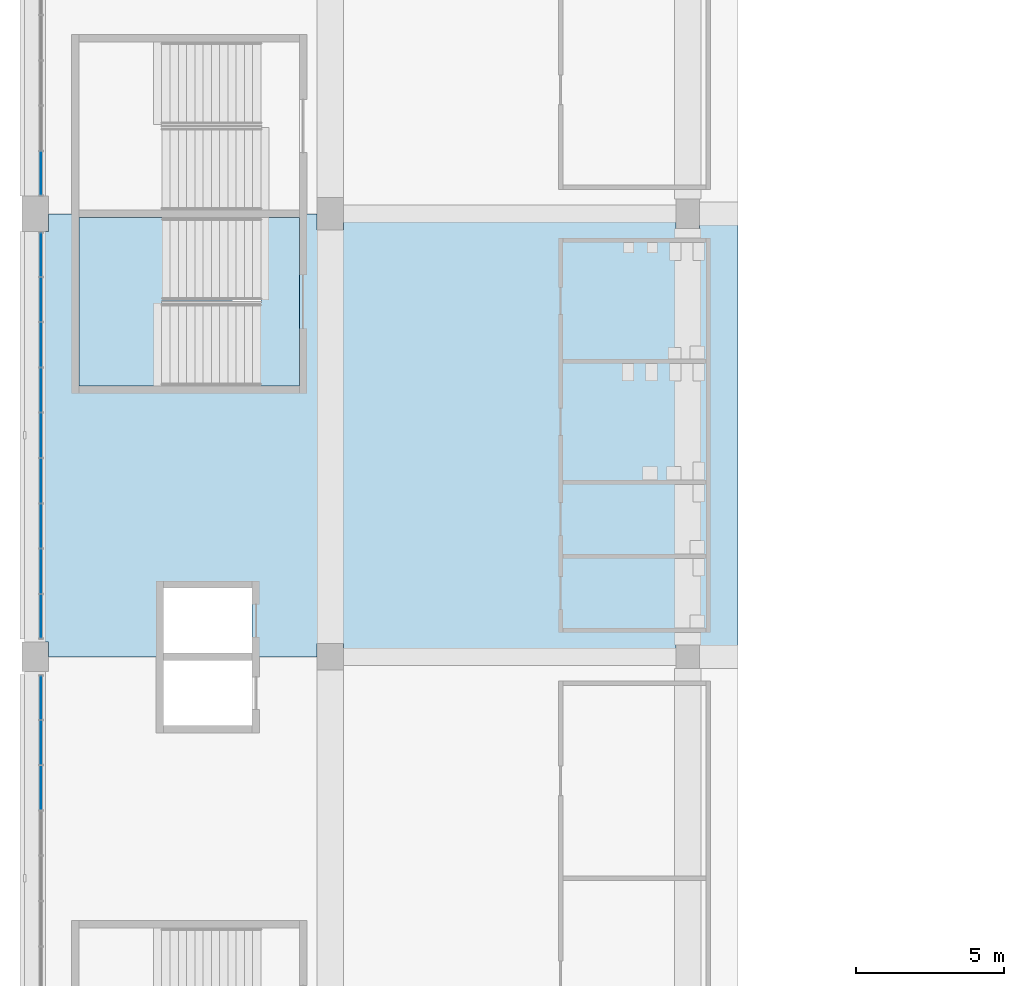
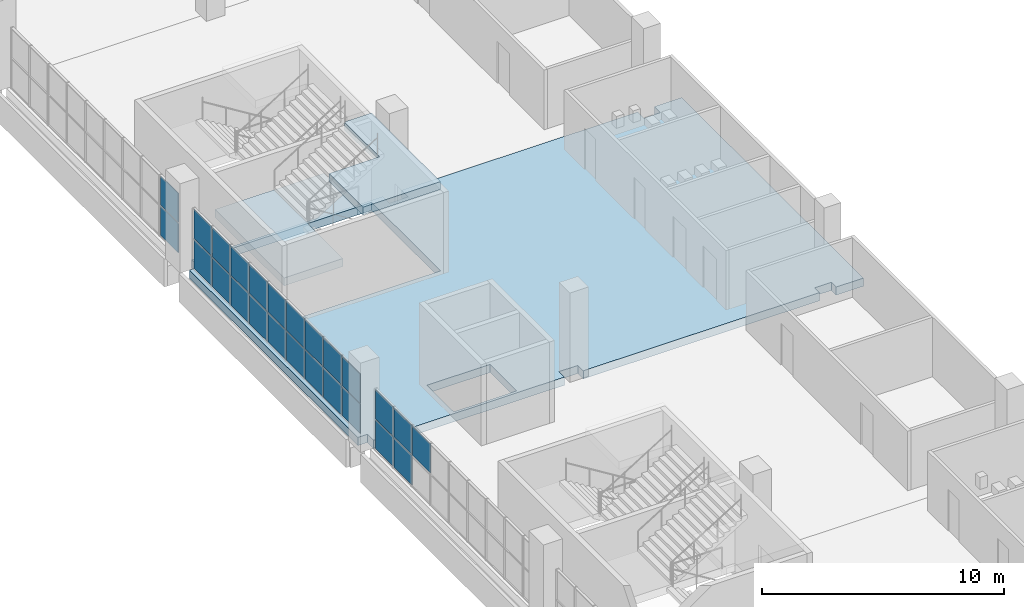
# One storey, part 62 of 199: 25 plates, 3 slabs, 4 elements without a shape of their own.
"""IFC4 building model written with IfcOpenShell, lengths in metres."""

from ifc_helpers import new_model, si_unit, direction, frame, origin, origin_2d, place, context, subcontext, project, spatial, polyline, rectangle, outline, extrude, material, layer, layer_set, type_object, element, aggregate, save


model = new_model("IFC4")

# Units and contexts
model_context = context("Model", 3, precision=1e-05, world=origin(), true_north=direction((0.0, 1.0)))
body_context = subcontext(model_context, "Body", "Model", "MODEL_VIEW")
ifc_project = project(units=[si_unit("LENGTHUNIT", "METRE"), si_unit("AREAUNIT", "SQUARE_METRE"), si_unit("VOLUMEUNIT", "CUBIC_METRE"), si_unit("PLANEANGLEUNIT", "RADIAN"), si_unit("MASSUNIT", "GRAM", prefix="KILO")], contexts=[model_context])

# Site, building, storey
site_placement = place(None, origin())
site = spatial("IfcSite", under=ifc_project, at=site_placement, CompositionType="ELEMENT")
building_placement = place(site_placement, origin())
building = spatial("IfcBuilding", under=site, at=building_placement, Name="Ogive Plaza Stadium", CompositionType="ELEMENT")
storey_placement = place(building_placement, frame((0.0, 0.0, 4.5)))
storey = spatial("IfcBuildingStorey", under=building, at=storey_placement, Name="L01", CompositionType="ELEMENT", Elevation=4.5)

# Curtain wall, plates
ifc_material_1 = material(Name="Bronze-anodised aluminium with laminated glass", Category="aluminium")
curtain_wall_type = type_object("IfcCurtainWallType", Name="Lancet curtain wall", PredefinedType="NOTDEFINED", material=ifc_material_1)
curtain_wall_1_placement = place(storey_placement, origin())
curtain_wall_1 = element("IfcCurtainWall", 1, at=curtain_wall_1_placement, inside=storey, type_object=curtain_wall_type, Name="CURTAIN WALL B24 L01", PredefinedType="NOTDEFINED")
ifc_material_2 = material(Name="Laminated glass", Category="glass")
ifc_layer_1 = layer(ifc_material_2, 0.028076171875)
ifc_layer_set_1 = layer_set([ifc_layer_1], Name="Laminated glass panel 28")
plate_type = type_object("IfcPlateType", Name="Laminated glass panel 28", PredefinedType="CURTAIN_PANEL", material=ifc_layer_set_1)
plate_1_placement = place(storey_placement, frame((-83.800048828125, 3.066650390625, 1.56982421875), z_axis=(0.0, 0.0, 1.0), x_axis=(0.0, 1.0, 0.0)))
plate_1 = element("IfcPlate", 2, at=plate_1_placement, type_object=plate_type, Name="CW-B24-L01 panel 7.2", PredefinedType="CURTAIN_PANEL", context=body_context, shape_type="SweptSolid", body=[
    extrude(rectangle(XDim=1.4833984375, YDim=0.028076171875, at=origin_2d()), origin(), (0.0, 0.0, 1.0), 1.469970703125),
])
plate_2_placement = place(storey_placement, frame((-83.800048828125, 4.60009765625, 0.0498046875), z_axis=(0.0, 0.0, 1.0), x_axis=(0.0, 1.0, 0.0)))
plate_2 = element("IfcPlate", 3, at=plate_2_placement, type_object=plate_type, Name="CW-B24-L01 panel 8.1", PredefinedType="CURTAIN_PANEL", context=body_context, shape_type="SweptSolid", body=[
    extrude(rectangle(XDim=1.4833984375, YDim=0.028076171875, at=origin_2d()), origin(), (0.0, 0.0, 1.0), 1.469970703125),
])
plate_3_placement = place(storey_placement, frame((-83.800048828125, 4.60009765625, 1.56982421875), z_axis=(0.0, 0.0, 1.0), x_axis=(0.0, 1.0, 0.0)))
plate_3 = element("IfcPlate", 4, at=plate_3_placement, type_object=plate_type, Name="CW-B24-L01 panel 8.2", PredefinedType="CURTAIN_PANEL", context=body_context, shape_type="SweptSolid", body=[
    extrude(rectangle(XDim=1.4833984375, YDim=0.028076171875, at=origin_2d()), origin(), (0.0, 0.0, 1.0), 1.469970703125),
])
plate_4_placement = place(storey_placement, frame((-83.800048828125, 6.120849609375, 0.0498046875), z_axis=(0.0, 0.0, 1.0), x_axis=(0.0, 1.0, 0.0)))
plate_4 = element("IfcPlate", 5, at=plate_4_placement, type_object=plate_type, Name="CW-B24-L01 panel 9.1", PredefinedType="CURTAIN_PANEL", context=body_context, shape_type="SweptSolid", body=[
    extrude(rectangle(XDim=1.458251953125, YDim=0.028076171875, at=origin_2d()), origin(), (0.0, 0.0, 1.0), 1.469970703125),
])
plate_5_placement = place(storey_placement, frame((-83.800048828125, 6.120849609375, 1.56982421875), z_axis=(0.0, 0.0, 1.0), x_axis=(0.0, 1.0, 0.0)))
plate_5 = element("IfcPlate", 6, at=plate_5_placement, type_object=plate_type, Name="CW-B24-L01 panel 9.2", PredefinedType="CURTAIN_PANEL", context=body_context, shape_type="SweptSolid", body=[
    extrude(rectangle(XDim=1.458251953125, YDim=0.028076171875, at=origin_2d()), origin(), (0.0, 0.0, 1.0), 1.469970703125),
])
aggregate(curtain_wall_1, [plate_1, plate_2, plate_3, plate_4, plate_5])

curtain_wall_2_placement = place(storey_placement, origin())
curtain_wall_2 = element("IfcCurtainWall", 7, at=curtain_wall_2_placement, inside=storey, type_object=curtain_wall_type, Name="CURTAIN WALL B25 L01", PredefinedType="NOTDEFINED")
plate_6_placement = place(storey_placement, frame((-83.800048828125, 8.879150390625, 0.0498046875), z_axis=(0.0, 0.0, 1.0), x_axis=(0.0, 1.0, 0.0)))
plate_6 = element("IfcPlate", 8, at=plate_6_placement, type_object=plate_type, Name="CW-B25-L01 panel 1.1", PredefinedType="CURTAIN_PANEL", context=body_context, shape_type="SweptSolid", body=[
    extrude(rectangle(XDim=1.458251953125, YDim=0.028076171875, at=origin_2d()), origin(), (0.0, 0.0, 1.0), 1.469970703125),
])
plate_7_placement = place(storey_placement, frame((-83.800048828125, 8.879150390625, 1.56982421875), z_axis=(0.0, 0.0, 1.0), x_axis=(0.0, 1.0, 0.0)))
plate_7 = element("IfcPlate", 9, at=plate_7_placement, type_object=plate_type, Name="CW-B25-L01 panel 1.2", PredefinedType="CURTAIN_PANEL", context=body_context, shape_type="SweptSolid", body=[
    extrude(rectangle(XDim=1.458251953125, YDim=0.028076171875, at=origin_2d()), origin(), (0.0, 0.0, 1.0), 1.469970703125),
])
plate_8_placement = place(storey_placement, frame((-83.800048828125, 10.39990234375, 0.0498046875), z_axis=(0.0, 0.0, 1.0), x_axis=(0.0, 1.0, 0.0)))
plate_8 = element("IfcPlate", 10, at=plate_8_placement, type_object=plate_type, Name="CW-B25-L01 panel 2.1", PredefinedType="CURTAIN_PANEL", context=body_context, shape_type="SweptSolid", body=[
    extrude(rectangle(XDim=1.4833984375, YDim=0.028076171875, at=origin_2d()), origin(), (0.0, 0.0, 1.0), 1.469970703125),
])
plate_9_placement = place(storey_placement, frame((-83.800048828125, 10.39990234375, 1.56982421875), z_axis=(0.0, 0.0, 1.0), x_axis=(0.0, 1.0, 0.0)))
plate_9 = element("IfcPlate", 11, at=plate_9_placement, type_object=plate_type, Name="CW-B25-L01 panel 2.2", PredefinedType="CURTAIN_PANEL", context=body_context, shape_type="SweptSolid", body=[
    extrude(rectangle(XDim=1.4833984375, YDim=0.028076171875, at=origin_2d()), origin(), (0.0, 0.0, 1.0), 1.469970703125),
])
plate_10_placement = place(storey_placement, frame((-83.800048828125, 11.933349609375, 0.0498046875), z_axis=(0.0, 0.0, 1.0), x_axis=(0.0, 1.0, 0.0)))
plate_10 = element("IfcPlate", 12, at=plate_10_placement, type_object=plate_type, Name="CW-B25-L01 panel 3.1", PredefinedType="CURTAIN_PANEL", context=body_context, shape_type="SweptSolid", body=[
    extrude(rectangle(XDim=1.4833984375, YDim=0.028076171875, at=origin_2d()), origin(), (0.0, 0.0, 1.0), 1.469970703125),
])
plate_11_placement = place(storey_placement, frame((-83.800048828125, 11.933349609375, 1.56982421875), z_axis=(0.0, 0.0, 1.0), x_axis=(0.0, 1.0, 0.0)))
plate_11 = element("IfcPlate", 13, at=plate_11_placement, type_object=plate_type, Name="CW-B25-L01 panel 3.2", PredefinedType="CURTAIN_PANEL", context=body_context, shape_type="SweptSolid", body=[
    extrude(rectangle(XDim=1.4833984375, YDim=0.028076171875, at=origin_2d()), origin(), (0.0, 0.0, 1.0), 1.469970703125),
])
plate_12_placement = place(storey_placement, frame((-83.800048828125, 13.466552734375, 0.0498046875), z_axis=(0.0, 0.0, 1.0), x_axis=(0.0, 1.0, 0.0)))
plate_12 = element("IfcPlate", 14, at=plate_12_placement, type_object=plate_type, Name="CW-B25-L01 panel 4.1", PredefinedType="CURTAIN_PANEL", context=body_context, shape_type="SweptSolid", body=[
    extrude(rectangle(XDim=1.4833984375, YDim=0.028076171875, at=origin_2d()), origin(), (0.0, 0.0, 1.0), 1.469970703125),
])
plate_13_placement = place(storey_placement, frame((-83.800048828125, 13.466552734375, 1.56982421875), z_axis=(0.0, 0.0, 1.0), x_axis=(0.0, 1.0, 0.0)))
plate_13 = element("IfcPlate", 15, at=plate_13_placement, type_object=plate_type, Name="CW-B25-L01 panel 4.2", PredefinedType="CURTAIN_PANEL", context=body_context, shape_type="SweptSolid", body=[
    extrude(rectangle(XDim=1.4833984375, YDim=0.028076171875, at=origin_2d()), origin(), (0.0, 0.0, 1.0), 1.469970703125),
])
plate_14_placement = place(storey_placement, frame((-83.800048828125, 15.0, 0.0498046875), z_axis=(0.0, 0.0, 1.0), x_axis=(0.0, 1.0, 0.0)))
plate_14 = element("IfcPlate", 16, at=plate_14_placement, type_object=plate_type, Name="CW-B25-L01 panel 5.1", PredefinedType="CURTAIN_PANEL", context=body_context, shape_type="SweptSolid", body=[
    extrude(rectangle(XDim=1.4833984375, YDim=0.028076171875, at=origin_2d()), origin(), (0.0, 0.0, 1.0), 1.469970703125),
])
plate_15_placement = place(storey_placement, frame((-83.800048828125, 15.0, 1.56982421875), z_axis=(0.0, 0.0, 1.0), x_axis=(0.0, 1.0, 0.0)))
plate_15 = element("IfcPlate", 17, at=plate_15_placement, type_object=plate_type, Name="CW-B25-L01 panel 5.2", PredefinedType="CURTAIN_PANEL", context=body_context, shape_type="SweptSolid", body=[
    extrude(rectangle(XDim=1.4833984375, YDim=0.028076171875, at=origin_2d()), origin(), (0.0, 0.0, 1.0), 1.469970703125),
])
plate_16_placement = place(storey_placement, frame((-83.800048828125, 16.533447265625, 0.0498046875), z_axis=(0.0, 0.0, 1.0), x_axis=(0.0, 1.0, 0.0)))
plate_16 = element("IfcPlate", 18, at=plate_16_placement, type_object=plate_type, Name="CW-B25-L01 panel 6.1", PredefinedType="CURTAIN_PANEL", context=body_context, shape_type="SweptSolid", body=[
    extrude(rectangle(XDim=1.4833984375, YDim=0.028076171875, at=origin_2d()), origin(), (0.0, 0.0, 1.0), 1.469970703125),
])
plate_17_placement = place(storey_placement, frame((-83.800048828125, 16.533447265625, 1.56982421875), z_axis=(0.0, 0.0, 1.0), x_axis=(0.0, 1.0, 0.0)))
plate_17 = element("IfcPlate", 19, at=plate_17_placement, type_object=plate_type, Name="CW-B25-L01 panel 6.2", PredefinedType="CURTAIN_PANEL", context=body_context, shape_type="SweptSolid", body=[
    extrude(rectangle(XDim=1.4833984375, YDim=0.028076171875, at=origin_2d()), origin(), (0.0, 0.0, 1.0), 1.469970703125),
])
plate_18_placement = place(storey_placement, frame((-83.800048828125, 18.066650390625, 0.0498046875), z_axis=(0.0, 0.0, 1.0), x_axis=(0.0, 1.0, 0.0)))
plate_18 = element("IfcPlate", 20, at=plate_18_placement, type_object=plate_type, Name="CW-B25-L01 panel 7.1", PredefinedType="CURTAIN_PANEL", context=body_context, shape_type="SweptSolid", body=[
    extrude(rectangle(XDim=1.4833984375, YDim=0.028076171875, at=origin_2d()), origin(), (0.0, 0.0, 1.0), 1.469970703125),
])
plate_19_placement = place(storey_placement, frame((-83.800048828125, 18.066650390625, 1.56982421875), z_axis=(0.0, 0.0, 1.0), x_axis=(0.0, 1.0, 0.0)))
plate_19 = element("IfcPlate", 21, at=plate_19_placement, type_object=plate_type, Name="CW-B25-L01 panel 7.2", PredefinedType="CURTAIN_PANEL", context=body_context, shape_type="SweptSolid", body=[
    extrude(rectangle(XDim=1.4833984375, YDim=0.028076171875, at=origin_2d()), origin(), (0.0, 0.0, 1.0), 1.469970703125),
])
plate_20_placement = place(storey_placement, frame((-83.800048828125, 19.60009765625, 0.0498046875), z_axis=(0.0, 0.0, 1.0), x_axis=(0.0, 1.0, 0.0)))
plate_20 = element("IfcPlate", 22, at=plate_20_placement, type_object=plate_type, Name="CW-B25-L01 panel 8.1", PredefinedType="CURTAIN_PANEL", context=body_context, shape_type="SweptSolid", body=[
    extrude(rectangle(XDim=1.4833984375, YDim=0.028076171875, at=origin_2d()), origin(), (0.0, 0.0, 1.0), 1.469970703125),
])
plate_21_placement = place(storey_placement, frame((-83.800048828125, 19.60009765625, 1.56982421875), z_axis=(0.0, 0.0, 1.0), x_axis=(0.0, 1.0, 0.0)))
plate_21 = element("IfcPlate", 23, at=plate_21_placement, type_object=plate_type, Name="CW-B25-L01 panel 8.2", PredefinedType="CURTAIN_PANEL", context=body_context, shape_type="SweptSolid", body=[
    extrude(rectangle(XDim=1.4833984375, YDim=0.028076171875, at=origin_2d()), origin(), (0.0, 0.0, 1.0), 1.469970703125),
])
plate_22_placement = place(storey_placement, frame((-83.800048828125, 21.120849609375, 0.0498046875), z_axis=(0.0, 0.0, 1.0), x_axis=(0.0, 1.0, 0.0)))
plate_22 = element("IfcPlate", 24, at=plate_22_placement, type_object=plate_type, Name="CW-B25-L01 panel 9.1", PredefinedType="CURTAIN_PANEL", context=body_context, shape_type="SweptSolid", body=[
    extrude(rectangle(XDim=1.458251953125, YDim=0.028076171875, at=origin_2d()), origin(), (0.0, 0.0, 1.0), 1.469970703125),
])
plate_23_placement = place(storey_placement, frame((-83.800048828125, 21.120849609375, 1.56982421875), z_axis=(0.0, 0.0, 1.0), x_axis=(0.0, 1.0, 0.0)))
plate_23 = element("IfcPlate", 25, at=plate_23_placement, type_object=plate_type, Name="CW-B25-L01 panel 9.2", PredefinedType="CURTAIN_PANEL", context=body_context, shape_type="SweptSolid", body=[
    extrude(rectangle(XDim=1.458251953125, YDim=0.028076171875, at=origin_2d()), origin(), (0.0, 0.0, 1.0), 1.469970703125),
])
aggregate(curtain_wall_2, [plate_6, plate_7, plate_8, plate_9, plate_10, plate_11, plate_12, plate_13, plate_14, plate_15, plate_16, plate_17, plate_18, plate_19, plate_20, plate_21, plate_22, plate_23])

curtain_wall_3_placement = place(storey_placement, origin())
curtain_wall_3 = element("IfcCurtainWall", 26, at=curtain_wall_3_placement, inside=storey, type_object=curtain_wall_type, Name="CURTAIN WALL B26 L01", PredefinedType="NOTDEFINED")
plate_24_placement = place(storey_placement, frame((-83.800048828125, 23.879150390625, 0.0498046875), z_axis=(0.0, 0.0, 1.0), x_axis=(0.0, 1.0, 0.0)))
plate_24 = element("IfcPlate", 27, at=plate_24_placement, type_object=plate_type, Name="CW-B26-L01 panel 1.1", PredefinedType="CURTAIN_PANEL", context=body_context, shape_type="SweptSolid", body=[
    extrude(rectangle(XDim=1.458251953125, YDim=0.028076171875, at=origin_2d()), origin(), (0.0, 0.0, 1.0), 1.469970703125),
])
plate_25_placement = place(storey_placement, frame((-83.800048828125, 23.879150390625, 1.56982421875), z_axis=(0.0, 0.0, 1.0), x_axis=(0.0, 1.0, 0.0)))
plate_25 = element("IfcPlate", 28, at=plate_25_placement, type_object=plate_type, Name="CW-B26-L01 panel 1.2", PredefinedType="CURTAIN_PANEL", context=body_context, shape_type="SweptSolid", body=[
    extrude(rectangle(XDim=1.458251953125, YDim=0.028076171875, at=origin_2d()), origin(), (0.0, 0.0, 1.0), 1.469970703125),
])
aggregate(curtain_wall_3, [plate_24, plate_25])

# Slab
ifc_material_3 = material(Name="Concrete C40/50", Category="concrete")
ifc_layer_2 = layer(ifc_material_3, 0.409912109375)
ifc_layer_set_2 = layer_set([ifc_layer_2], Name="Concrete C40/50")
slab_type_1 = type_object("IfcSlabType", Name="RC floor slab 410", PredefinedType="FLOOR", material=ifc_layer_set_2)
slab_1_placement = place(storey_placement, frame((0.0, 0.0, -0.409912109375)))
element("IfcSlab", 29, at=slab_1_placement, inside=storey, type_object=slab_type_1, Name="Floor slab L01 B25", PredefinedType="FLOOR", context=body_context, shape_type="SweptSolid", body=[
    extrude(outline(polyline([(-61.5, 22.5), (-61.5, 22.0), (-62.300048828125, 22.0), (-62.300048828125, 22.5), (-73.550048828125, 22.5), (-73.550048828125, 21.949951171875), (-74.449951171875, 21.949951171875), (-74.449951171875, 22.5), (-83.550048828125, 22.5), (-83.550048828125, 21.89990234375), (-84.0, 21.89990234375), (-84.0, 8.0), (-83.550048828125, 8.0), (-83.550048828125, 7.5), (-74.449951171875, 7.5), (-74.449951171875, 7.949951171875), (-73.550048828125, 7.949951171875), (-73.550048828125, 7.5), (-62.300048828125, 7.5), (-62.300048828125, 7.89990234375), (-61.5, 7.89990234375), (-61.5, 7.5), (-60.199951171875, 7.5), (-60.199951171875, 22.5), (-61.5, 22.5)]), holes=[polyline([(-76.64990234375, 7.625), (-76.64990234375, 9.824951171875), (-79.64990234375, 9.824951171875), (-79.64990234375, 7.625), (-76.64990234375, 7.625)]), polyline([(-75.050048828125, 16.675048828125), (-75.050048828125, 22.375), (-82.510009765625, 22.375), (-82.510009765625, 16.675048828125), (-75.050048828125, 16.675048828125)])]), origin(), (0.0, 0.0, 1.0), 0.409912109375),
])

# Stair, slabs
ifc_material_4 = material(Name="Concrete C40/50", Category="concrete")
stair_type = type_object("IfcStairType", Name="Exit stair", PredefinedType="STRAIGHT_RUN_STAIR", material=ifc_material_4)
stair_placement = place(storey_placement, origin())
stair = element("IfcStair", 30, at=stair_placement, inside=storey, type_object=stair_type, Name="Exit stair ST26B L01 to L02", PredefinedType="STRAIGHT_RUN_STAIR")
ifc_material_5 = material(Name="Concrete C40/50", Category="concrete")
ifc_layer_3 = layer(ifc_material_5, 0.39990234375)
ifc_layer_set_3 = layer_set([ifc_layer_3], Name="Concrete C40/50")
slab_type_2 = type_object("IfcSlabType", Name="Stair landing", PredefinedType="LANDING", material=ifc_layer_set_3)
slab_2_placement = place(storey_placement, frame((0.0, 0.0, 1.85009765625)))
slab_2 = element("IfcSlab", 31, at=slab_2_placement, type_object=slab_type_2, Name="ST26B landing 1", PredefinedType="LANDING", context=body_context, shape_type="SweptSolid", body=[
    extrude(outline(polyline([(-77.31005859375, 22.375), (-77.31005859375, 19.574951171875), (-79.7099609375, 19.574951171875), (-79.7099609375, 16.675048828125), (-82.510009765625, 16.675048828125), (-82.510009765625, 22.375), (-79.7099609375, 22.375), (-77.31005859375, 22.375)])), origin(), (0.0, 0.0, 1.0), 0.39990234375),
])
slab_3_placement = place(storey_placement, frame((0.0, 0.0, 4.10009765625)))
slab_3 = element("IfcSlab", 32, at=slab_3_placement, type_object=slab_type_2, Name="ST26B landing 2", PredefinedType="LANDING", context=body_context, shape_type="SweptSolid", body=[
    extrude(outline(polyline([(-76.35009765625, 22.375), (-75.050048828125, 22.375), (-75.050048828125, 16.675048828125), (-76.35009765625, 16.675048828125), (-78.75, 16.675048828125), (-78.75, 19.47509765625), (-76.35009765625, 19.47509765625), (-76.35009765625, 22.375)])), origin(), (0.0, 0.0, 1.0), 0.39990234375),
])
aggregate(stair, [slab_2, slab_3])

save(model, "model.ifc")
